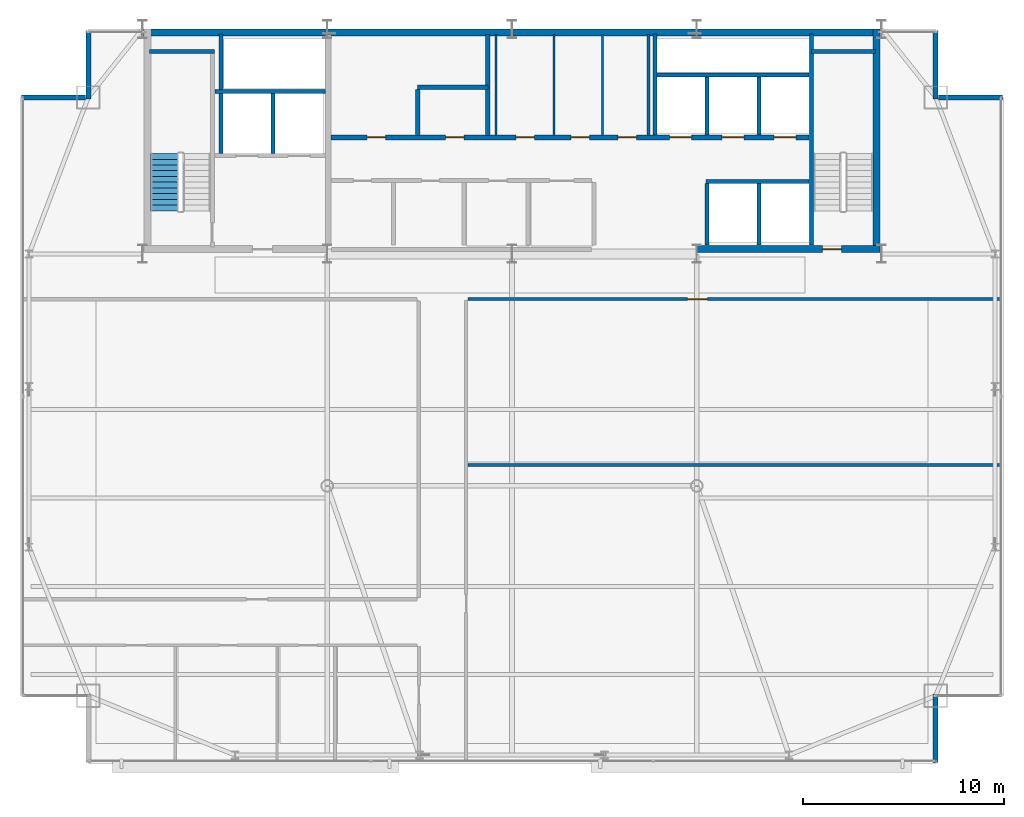
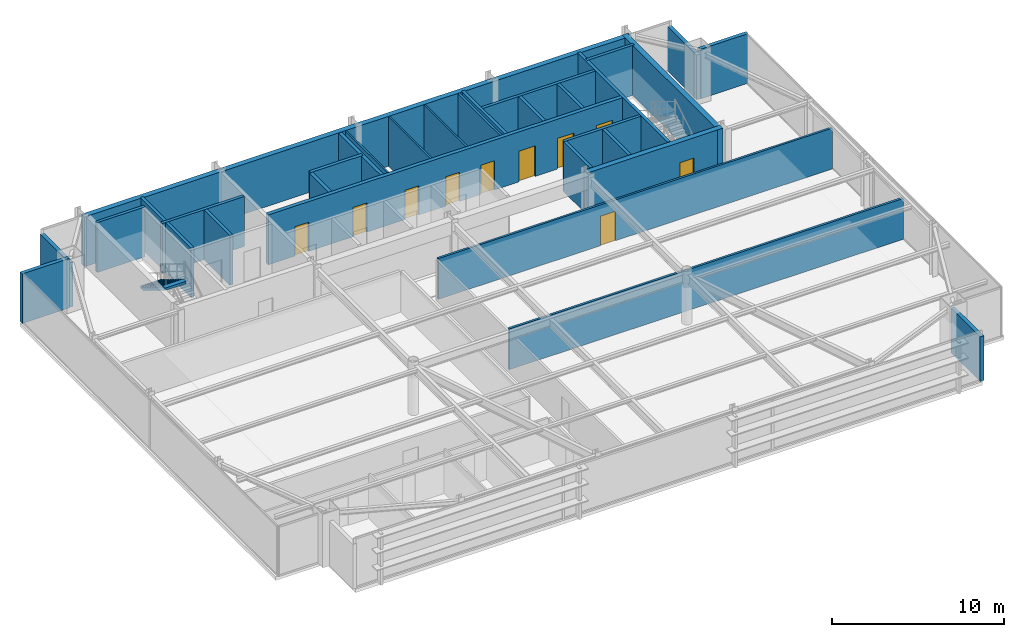
# One storey, part 23 of 25: 31 walls, 10 doors, 1 stair flight, 10 openings, 1 element without a shape of its own.
"""IFC4 building model written with IfcOpenShell, lengths in metres."""

from ifc_helpers import new_model, si_unit, direction, frame, frame_2d, origin, place, context, subcontext, project, spatial, polyline, rectangle, outline, extrude, source, transform, mapped, material, layer, layer_set, type_object, type_shapes, element, fill, aggregate, save


model = new_model("IFC4")

# Units and contexts
model_context = context("Model", 3, precision=1e-05, world=origin(), true_north=direction((0.0, 1.0)))
body_context = subcontext(model_context, "Body", "Model", "MODEL_VIEW")
ifc_project = project(units=[si_unit("LENGTHUNIT", "METRE"), si_unit("AREAUNIT", "SQUARE_METRE"), si_unit("VOLUMEUNIT", "CUBIC_METRE"), si_unit("PLANEANGLEUNIT", "RADIAN"), si_unit("MASSUNIT", "GRAM", prefix="KILO")], contexts=[model_context])

# Site, building, storey
site_placement = place(None, origin())
site = spatial("IfcSite", under=ifc_project, at=site_placement, CompositionType="ELEMENT")
building_placement = place(site_placement, origin())
building = spatial("IfcBuilding", under=site, at=building_placement, Name="Varnel Quay Broadcast Tower", CompositionType="ELEMENT")
storey_placement = place(building_placement, frame((0.0, 0.0, 250.800048828125)))
storey = spatial("IfcBuildingStorey", under=building, at=storey_placement, Name="L62", CompositionType="ELEMENT", Elevation=250.800048828125)

# Walls
ifc_material_1 = material(Name="Concrete CSA A23.3 C50/60", Category="concrete")
ifc_layer_1 = layer(ifc_material_1, 0.199951171875, Name="Concrete CSA A23.3 C50/60")
ifc_layer_set_1 = layer_set([ifc_layer_1], Name="Concrete CSA A23.3 C50/60")
wall_type_1 = type_object("IfcWallType", Name="Wall_CoreShaftShear200", PredefinedType="SHEAR", material=ifc_layer_set_1)
wall_1_placement = place(storey_placement, frame((15.949951171875, 45.679931640625, 0.0), z_axis=(0.0, 0.0, 1.0), x_axis=(1.0, 0.0, 0.0)))
element("IfcWall", 1, at=wall_1_placement, inside=storey, type_object=wall_type_1, Name="L62 Stair 1 North Structural Wall", PredefinedType="SHEAR", context=body_context, shape_type="SweptSolid", body=[
    extrude(rectangle(XDim=3.22998046875, YDim=0.199951171875, at=frame_2d((1.614990234375, 0.0))), origin(), (0.0, 0.0, 1.0), 3.550048828125),
])
wall_2_placement = place(storey_placement, frame((19.199951171875, 43.699951171875, 0.0), z_axis=(0.0, 0.0, 1.0), x_axis=(1.0, 0.0, 0.0)))
element("IfcWall", 2, at=wall_2_placement, inside=storey, type_object=wall_type_1, Name="L62 Firefighter Lift Shaft Rear Wall", PredefinedType="SHEAR", context=body_context, shape_type="SweptSolid", body=[
    extrude(rectangle(XDim=5.52001953125, YDim=0.199951171875, at=frame_2d((2.760009765625, 0.0))), origin(), (0.0, 0.0, 1.0), 3.550048828125),
])
wall_3_placement = place(storey_placement, frame((22.10009765625, 40.60009765625, 0.0), z_axis=(0.0, 0.0, 1.0), x_axis=(0.0, 1.0, 0.0)))
element("IfcWall", 3, at=wall_3_placement, inside=storey, type_object=wall_type_1, Name="L62 Firefighter Lift Shaft Divider", PredefinedType="SHEAR", context=body_context, shape_type="SweptSolid", body=[
    extrude(rectangle(XDim=3.0, YDim=0.199951171875, at=frame_2d((1.5, 0.0))), origin(), (0.0, 0.0, 1.0), 3.550048828125),
])
wall_4_placement = place(storey_placement, frame((19.5, 40.60009765625, 0.0), z_axis=(0.0, 0.0, 1.0), x_axis=(0.0, 1.0, 0.0)))
element("IfcWall", 4, at=wall_4_placement, inside=storey, type_object=wall_type_1, Name="L62 Firefighter Lift Shaft West Wall", PredefinedType="SHEAR", context=body_context, shape_type="SweptSolid", body=[
    extrude(rectangle(XDim=5.949951171875, YDim=0.199951171875, at=frame_2d((2.97509765625, 0.0))), origin(), (0.0, 0.0, 1.0), 3.550048828125),
])
wall_5_placement = place(storey_placement, frame((48.919921875, 36.050048828125, 0.0), z_axis=(0.0, 0.0, 1.0), x_axis=(0.0, 1.0, 0.0)))
element("IfcWall", 5, at=wall_5_placement, inside=storey, type_object=wall_type_1, Name="L62 Stair 2 West Structural Wall", PredefinedType="SHEAR", context=body_context, shape_type="SweptSolid", body=[
    extrude(rectangle(XDim=10.5, YDim=0.199951171875, at=frame_2d((5.25, 0.0))), origin(), (0.0, 0.0, 1.0), 3.550048828125),
])
wall_6_placement = place(storey_placement, frame((48.919921875, 45.679931640625, 0.0), z_axis=(0.0, 0.0, 1.0), x_axis=(1.0, 0.0, 0.0)))
element("IfcWall", 6, at=wall_6_placement, inside=storey, type_object=wall_type_1, Name="L62 Stair 2 North Structural Wall", PredefinedType="SHEAR", context=body_context, shape_type="SweptSolid", body=[
    extrude(rectangle(XDim=3.18017578125, YDim=0.199951171875, at=frame_2d((1.590087890625, 0.0))), origin(), (0.0, 0.0, 1.0), 3.550048828125),
])
wall_7_placement = place(storey_placement, frame((41.219970703125, 44.5, 0.0), z_axis=(0.0, 0.0, 1.0), x_axis=(1.0, 0.0, 0.0)))
element("IfcWall", 7, at=wall_7_placement, inside=storey, type_object=wall_type_1, Name="L62 High-Rise Lift Shaft Rear Wall", PredefinedType="SHEAR", context=body_context, shape_type="SweptSolid", body=[
    extrude(rectangle(XDim=7.580078125, YDim=0.199951171875, at=frame_2d((3.7900390625, 0.0))), origin(), (0.0, 0.0, 1.0), 3.550048828125),
])
wall_8_placement = place(storey_placement, frame((41.1201171875, 41.530029296875, 0.0), z_axis=(0.0, 0.0, 1.0), x_axis=(0.0, 1.0, 0.0)))
element("IfcWall", 8, at=wall_8_placement, inside=storey, type_object=wall_type_1, Name="L62 High-Rise Lift Shaft Divider 1", PredefinedType="SHEAR", context=body_context, shape_type="SweptSolid", body=[
    extrude(rectangle(XDim=5.02001953125, YDim=0.199951171875, at=frame_2d((2.510009765625, 0.0))), origin(), (0.0, 0.0, 1.0), 3.550048828125),
])
for number, where, z_axis, x_axis, name in (
    (9, (43.699951171875, 41.530029296875, 0.0), (0.0, 0.0, 1.0), (0.0, 1.0, 0.0), "L62 High-Rise Lift Shaft Divider 2"),
    (10, (46.300048828125, 41.530029296875, 0.0), (0.0, 0.0, 1.0), (0.0, 1.0, 0.0), "L62 High-Rise Lift Shaft Divider 3"),
):
    element("IfcWall", number, at=place(storey_placement, frame(where, z_axis=z_axis, x_axis=x_axis)), inside=storey, type_object=wall_type_1, Name=name, PredefinedType="SHEAR", context=body_context, shape_type="SweptSolid", body=[
        extrude(rectangle(XDim=2.869873046875, YDim=0.199951171875, at=frame_2d((1.43505859375, 0.0))), origin(), (0.0, 0.0, 1.0), 3.550048828125),
    ])
for number, where, z_axis, x_axis, name in (
    (11, (43.699951171875, 36.050048828125, 0.0), (0.0, 0.0, 1.0), (0.0, 1.0, 0.0), "L62 Express Lift Shaft West Wall"),
    (12, (46.300048828125, 36.050048828125, 0.0), (0.0, 0.0, 1.0), (0.0, 1.0, 0.0), "L62 Express Lift Shaft Divider"),
):
    element("IfcWall", number, at=place(storey_placement, frame(where, z_axis=z_axis, x_axis=x_axis)), inside=storey, type_object=wall_type_1, Name=name, PredefinedType="SHEAR", context=body_context, shape_type="SweptSolid", body=[
        extrude(rectangle(XDim=3.050048828125, YDim=0.199951171875, at=frame_2d((1.52490234375, 0.0))), origin(), (0.0, 0.0, 1.0), 3.550048828125),
    ])
wall_9_placement = place(storey_placement, frame((43.64990234375, 39.199951171875, 0.0), z_axis=(0.0, 0.0, 1.0), x_axis=(1.0, 0.0, 0.0)))
element("IfcWall", 13, at=wall_9_placement, inside=storey, type_object=wall_type_1, Name="L62 Express Lift Shaft North Front Wall", PredefinedType="SHEAR", context=body_context, shape_type="SweptSolid", body=[
    extrude(rectangle(XDim=5.150146484375, YDim=0.199951171875, at=frame_2d((2.5751953125, 0.0))), origin(), (0.0, 0.0, 1.0), 3.550048828125),
])

# Wall, openings, doors
ifc_layer_2 = layer(ifc_material_1, 0.25, Name="Concrete CSA A23.3 C50/60")
ifc_layer_set_2 = layer_set([ifc_layer_2], Name="Concrete CSA A23.3 C50/60")
wall_type_2 = type_object("IfcWallType", Name="Wall_CoreShaftShear250", PredefinedType="SHEAR", material=ifc_layer_set_2)
wall_10_placement = place(storey_placement, frame((24.97998046875, 41.39990234375, 0.0), z_axis=(0.0, 0.0, 1.0), x_axis=(1.0, 0.0, 0.0)))
wall_10 = element("IfcWall", 14, at=wall_10_placement, inside=storey, type_object=wall_type_2, Name="L62 North Lift Bank & Reclaimed Suite Wall", PredefinedType="SHEAR", context=body_context, shape_type="SweptSolid", body=[
    extrude(rectangle(XDim=23.820068359375, YDim=0.25, at=frame_2d((11.91015625, 0.0))), origin(), (0.0, 0.0, 1.0), 3.550048828125),
])
opening_1_placement = place(wall_10_placement, frame((16.8701171875, 0.0, 0.0)))
opening_1 = element("IfcOpeningElement", 15, at=opening_1_placement, cuts=wall_10, Name="Opening LD-L62-PH-01", PredefinedType="OPENING", context=body_context, shape_type="SweptSolid", body=[
    extrude(rectangle(XDim=1.10009765625, YDim=2.179931640625, at=frame_2d((0.550048828125, 1.08984375))), frame((0.0, 0.135009765625, 0.0), z_axis=(0.0, -1.0, 0.0), x_axis=(1.0, 0.0, 0.0)), (0.0, 0.0, 1.0), 0.27001953125),
])
opening_2_placement = place(wall_10_placement, frame((19.469970703125, 0.0, 0.0)))
opening_2 = element("IfcOpeningElement", 16, at=opening_2_placement, cuts=wall_10, Name="Opening LD-L62-PH-02", PredefinedType="OPENING", context=body_context, shape_type="SweptSolid", body=[
    extrude(rectangle(XDim=1.10009765625, YDim=2.179931640625, at=frame_2d((0.550048828125, 1.08984375))), frame((0.0, 0.135009765625, 0.0), z_axis=(0.0, -1.0, 0.0), x_axis=(1.0, 0.0, 0.0)), (0.0, 0.0, 1.0), 0.27001953125),
])
opening_3_placement = place(wall_10_placement, frame((22.070068359375, 0.0, 0.0)))
opening_3 = element("IfcOpeningElement", 17, at=opening_3_placement, cuts=wall_10, Name="Opening LD-L62-PH-03", PredefinedType="OPENING", context=body_context, shape_type="SweptSolid", body=[
    extrude(rectangle(XDim=1.10009765625, YDim=2.179931640625, at=frame_2d((0.550048828125, 1.08984375))), frame((0.0, 0.135009765625, 0.0), z_axis=(0.0, -1.0, 0.0), x_axis=(1.0, 0.0, 0.0)), (0.0, 0.0, 1.0), 0.27001953125),
])
opening_4_placement = place(wall_10_placement, frame((1.81005859375, 0.0, 0.0)))
opening_4 = element("IfcOpeningElement", 18, at=opening_4_placement, cuts=wall_10, Name="Opening D-L62-RECA1", PredefinedType="OPENING", context=body_context, shape_type="SweptSolid", body=[
    extrude(rectangle(XDim=0.919921875, YDim=2.080078125, at=frame_2d((0.4599609375, 1.0400390625))), frame((0.0, 0.135009765625, 0.0), z_axis=(0.0, -1.0, 0.0), x_axis=(1.0, 0.0, 0.0)), (0.0, 0.0, 1.0), 0.27001953125),
])
opening_5_placement = place(wall_10_placement, frame((5.7099609375, 0.0, 0.0)))
opening_5 = element("IfcOpeningElement", 19, at=opening_5_placement, cuts=wall_10, Name="Opening D-L62-RECA2", PredefinedType="OPENING", context=body_context, shape_type="SweptSolid", body=[
    extrude(rectangle(XDim=0.919921875, YDim=2.080078125, at=frame_2d((0.4599609375, 1.0400390625))), frame((0.0, 0.135009765625, 0.0), z_axis=(0.0, -1.0, 0.0), x_axis=(1.0, 0.0, 0.0)), (0.0, 0.0, 1.0), 0.27001953125),
])
opening_6_placement = place(wall_10_placement, frame((9.2099609375, 0.0, 0.0)))
opening_6 = element("IfcOpeningElement", 20, at=opening_6_placement, cuts=wall_10, Name="Opening D-L62-RECB1", PredefinedType="OPENING", context=body_context, shape_type="SweptSolid", body=[
    extrude(rectangle(XDim=0.919921875, YDim=2.080078125, at=frame_2d((0.4599609375, 1.0400390625))), frame((0.0, 0.135009765625, 0.0), z_axis=(0.0, -1.0, 0.0), x_axis=(1.0, 0.0, 0.0)), (0.0, 0.0, 1.0), 0.27001953125),
])
opening_7_placement = place(wall_10_placement, frame((11.9599609375, 0.0, 0.0)))
opening_7 = element("IfcOpeningElement", 21, at=opening_7_placement, cuts=wall_10, Name="Opening D-L62-RECB2", PredefinedType="OPENING", context=body_context, shape_type="SweptSolid", body=[
    extrude(rectangle(XDim=0.919921875, YDim=2.080078125, at=frame_2d((0.4599609375, 1.0400390625))), frame((0.0, 0.135009765625, 0.0), z_axis=(0.0, -1.0, 0.0), x_axis=(1.0, 0.0, 0.0)), (0.0, 0.0, 1.0), 0.27001953125),
])
opening_8_placement = place(wall_10_placement, frame((14.31005859375, 0.0, 0.0)))
opening_8 = element("IfcOpeningElement", 22, at=opening_8_placement, cuts=wall_10, Name="Opening D-L62-RECB3", PredefinedType="OPENING", context=body_context, shape_type="SweptSolid", body=[
    extrude(rectangle(XDim=0.919921875, YDim=2.080078125, at=frame_2d((0.4599609375, 1.0400390625))), frame((0.0, 0.135009765625, 0.0), z_axis=(0.0, -1.0, 0.0), x_axis=(1.0, 0.0, 0.0)), (0.0, 0.0, 1.0), 0.27001953125),
])
ifc_material_2 = material(Name="Brushed Bronze-Stainless Lift Car & Sliding Doors", Category="steel")
door_type_1 = type_object("IfcDoorType", Name="Door_LiftLanding1100", OperationType="SLIDING_TO_LEFT", PredefinedType="DOOR", material=ifc_material_2)
shared_shape_1 = source(origin(), body_context, "Body", "SweptSolid", [
    extrude(rectangle(XDim=1.10009765625, YDim=2.179931640625, at=frame_2d((0.550048828125, 1.08984375))), frame((0.0, 0.02490234375, 0.0), z_axis=(0.0, -1.0, 0.0), x_axis=(1.0, 0.0, 0.0)), (0.0, 0.0, 1.0), 0.050048828125),
])
type_shapes(door_type_1, [shared_shape_1])
door_1_placement = place(opening_1_placement, frame((1.10009765625, 0.0, 0.0), z_axis=(0.0, 0.0, 1.0), x_axis=(-1.0, 0.0, 0.0)))
door_1 = element("IfcDoor", 23, at=door_1_placement, inside=storey, type_object=door_type_1, Name="L62 Lift PH-01 Landing Door", OperationType="SLIDING_TO_LEFT", OverallHeight=2.179931640625, OverallWidth=1.10009765625, PredefinedType="DOOR", context=body_context, shape_type="MappedRepresentation", body=[
    mapped(shared_shape_1, transform((0.0, 0.0, 0.0), x_axis=(1.0, 0.0, 0.0), y_axis=(0.0, 1.0, 0.0), z_axis=(0.0, 0.0, 1.0), scale=1.0)),
])
fill(opening_1, door_1)
door_2_placement = place(opening_2_placement, frame((1.10009765625, 0.0, 0.0), z_axis=(0.0, 0.0, 1.0), x_axis=(-1.0, 0.0, 0.0)))
door_2 = element("IfcDoor", 24, at=door_2_placement, inside=storey, type_object=door_type_1, Name="L62 Lift PH-02 Landing Door", OperationType="SLIDING_TO_LEFT", OverallHeight=2.179931640625, OverallWidth=1.10009765625, PredefinedType="DOOR", context=body_context, shape_type="MappedRepresentation", body=[
    mapped(shared_shape_1, transform((0.0, 0.0, 0.0), x_axis=(1.0, 0.0, 0.0), y_axis=(0.0, 1.0, 0.0), z_axis=(0.0, 0.0, 1.0), scale=1.0)),
])
fill(opening_2, door_2)
door_3_placement = place(opening_3_placement, frame((1.10009765625, 0.0, 0.0), z_axis=(0.0, 0.0, 1.0), x_axis=(-1.0, 0.0, 0.0)))
door_3 = element("IfcDoor", 25, at=door_3_placement, inside=storey, type_object=door_type_1, Name="L62 Lift PH-03 Landing Door", OperationType="SLIDING_TO_LEFT", OverallHeight=2.179931640625, OverallWidth=1.10009765625, PredefinedType="DOOR", context=body_context, shape_type="MappedRepresentation", body=[
    mapped(shared_shape_1, transform((0.0, 0.0, 0.0), x_axis=(1.0, 0.0, 0.0), y_axis=(0.0, 1.0, 0.0), z_axis=(0.0, 0.0, 1.0), scale=1.0)),
])
fill(opening_3, door_3)
ifc_material_3 = material(Name="Solid-Core Fire-Rated Acoustic Oak Veneer Door", Category="wood")
door_type_2 = type_object("IfcDoorType", Name="Door_Office920", OperationType="NOTDEFINED", PredefinedType="DOOR", material=ifc_material_3)
shared_shape_2 = source(origin(), body_context, "Body", "SweptSolid", [
    extrude(rectangle(XDim=0.919921875, YDim=2.080078125, at=frame_2d((0.4599609375, 1.0400390625))), frame((0.0, 0.02490234375, 0.0), z_axis=(0.0, -1.0, 0.0), x_axis=(1.0, 0.0, 0.0)), (0.0, 0.0, 1.0), 0.050048828125),
])
type_shapes(door_type_2, [shared_shape_2])
door_4_placement = place(opening_4_placement, origin())
door_4 = element("IfcDoor", 26, at=door_4_placement, inside=storey, type_object=door_type_2, Name="L62 Signal Routing Suite Door", OperationType="SINGLE_SWING_LEFT", OverallHeight=2.080078125, OverallWidth=0.919921875, PredefinedType="DOOR", context=body_context, shape_type="MappedRepresentation", body=[
    mapped(shared_shape_2, transform((0.0, 0.0, 0.0), x_axis=(1.0, 0.0, 0.0), y_axis=(0.0, 1.0, 0.0), z_axis=(0.0, 0.0, 1.0), scale=1.0)),
])
fill(opening_4, door_4)
door_5_placement = place(opening_5_placement, origin())
door_5 = element("IfcDoor", 27, at=door_5_placement, inside=storey, type_object=door_type_2, Name="L62 Archive Media Store Door", OperationType="SINGLE_SWING_RIGHT", OverallHeight=2.080078125, OverallWidth=0.919921875, PredefinedType="DOOR", context=body_context, shape_type="MappedRepresentation", body=[
    mapped(shared_shape_2, transform((0.0, 0.0, 0.0), x_axis=(1.0, 0.0, 0.0), y_axis=(0.0, 1.0, 0.0), z_axis=(0.0, 0.0, 1.0), scale=1.0)),
])
fill(opening_5, door_5)
door_6_placement = place(opening_6_placement, origin())
door_6 = element("IfcDoor", 28, at=door_6_placement, inside=storey, type_object=door_type_2, Name="L62 Audio Patch Closet Door", OperationType="SINGLE_SWING_LEFT", OverallHeight=2.080078125, OverallWidth=0.919921875, PredefinedType="DOOR", context=body_context, shape_type="MappedRepresentation", body=[
    mapped(shared_shape_2, transform((0.0, 0.0, 0.0), x_axis=(1.0, 0.0, 0.0), y_axis=(0.0, 1.0, 0.0), z_axis=(0.0, 0.0, 1.0), scale=1.0)),
])
fill(opening_6, door_6)
door_7_placement = place(opening_7_placement, origin())
door_7 = element("IfcDoor", 29, at=door_7_placement, inside=storey, type_object=door_type_2, Name="L62 Bureau Reference Archive Door", OperationType="SINGLE_SWING_RIGHT", OverallHeight=2.080078125, OverallWidth=0.919921875, PredefinedType="DOOR", context=body_context, shape_type="MappedRepresentation", body=[
    mapped(shared_shape_2, transform((0.0, 0.0, 0.0), x_axis=(1.0, 0.0, 0.0), y_axis=(0.0, 1.0, 0.0), z_axis=(0.0, 0.0, 1.0), scale=1.0)),
])
fill(opening_7, door_7)
door_8_placement = place(opening_8_placement, origin())
door_8 = element("IfcDoor", 30, at=door_8_placement, inside=storey, type_object=door_type_2, Name="L62 Crew Espresso Niche Door", OperationType="SINGLE_SWING_LEFT", OverallHeight=2.080078125, OverallWidth=0.919921875, PredefinedType="DOOR", context=body_context, shape_type="MappedRepresentation", body=[
    mapped(shared_shape_2, transform((0.0, 0.0, 0.0), x_axis=(1.0, 0.0, 0.0), y_axis=(0.0, 1.0, 0.0), z_axis=(0.0, 0.0, 1.0), scale=1.0)),
])
fill(opening_8, door_8)

# Walls
ifc_layer_3 = layer(ifc_material_1, 0.35009765625, Name="Concrete CSA A23.3 C50/60")
ifc_layer_set_3 = layer_set([ifc_layer_3], Name="Concrete CSA A23.3 C50/60")
wall_type_3 = type_object("IfcWallType", Name="Wall_CoreShearExt350", PredefinedType="SHEAR", material=ifc_layer_set_3)
wall_11_placement = place(storey_placement, frame((15.60009765625, 46.625, 0.0), z_axis=(0.0, 0.0, 1.0), x_axis=(1.0, 0.0, 0.0)))
element("IfcWall", 31, at=wall_11_placement, inside=storey, type_object=wall_type_3, Name="L62 North Core Shear Wall", PredefinedType="SHEAR", context=body_context, shape_type="SweptSolid", body=[
    extrude(rectangle(XDim=36.7998046875, YDim=0.35009765625, at=frame_2d((18.39990234375, 0.0))), origin(), (0.0, 0.0, 1.0), 3.550048828125),
])
ifc_layer_4 = layer(ifc_material_1, 0.35009765625, Name="Concrete CSA A23.3 C50/60")
ifc_layer_set_4 = layer_set([ifc_layer_4], Name="Concrete CSA A23.3 C50/60")
wall_type_4 = type_object("IfcWallType", Name="Wall_CoreShearInt350", PredefinedType="SHEAR", material=ifc_layer_set_4)
wall_12_placement = place(storey_placement, frame((52.155029296875, 35.669921875, 0.0), z_axis=(0.0, 0.0, 1.0), x_axis=(0.0, 1.0, 0.0)))
element("IfcWall", 32, at=wall_12_placement, inside=storey, type_object=wall_type_4, Name="L62 East Core Shear Wall", PredefinedType="SHEAR", context=body_context, shape_type="SweptSolid", body=[
    extrude(rectangle(XDim=11.130126953125, YDim=0.35009765625, at=frame_2d((5.56494140625, 0.0))), origin(), (0.0, 0.0, 1.0), 3.550048828125),
])

# Wall, opening, door
wall_13_placement = place(storey_placement, frame((43.199951171875, 35.844970703125, 0.0), z_axis=(0.0, 0.0, 1.0), x_axis=(1.0, 0.0, 0.0)))
wall_13 = element("IfcWall", 33, at=wall_13_placement, inside=storey, type_object=wall_type_4, Name="L62 South-East Core Shear Wall", PredefinedType="SHEAR", context=body_context, shape_type="SweptSolid", body=[
    extrude(rectangle(XDim=9.130126953125, YDim=0.35009765625, at=frame_2d((4.56494140625, 0.0))), origin(), (0.0, 0.0, 1.0), 3.550048828125),
])
opening_9_placement = place(wall_13_placement, frame((6.25, 0.0, 0.0)))
opening_9 = element("IfcOpeningElement", 34, at=opening_9_placement, cuts=wall_13, Name="Opening D-L62-S2", PredefinedType="OPENING", context=body_context, shape_type="SweptSolid", body=[
    extrude(rectangle(XDim=0.949951171875, YDim=2.10009765625, at=frame_2d((0.47509765625, 1.050048828125))), frame((0.0, 0.18505859375, 0.0), z_axis=(0.0, -1.0, 0.0), x_axis=(1.0, 0.0, 0.0)), (0.0, 0.0, 1.0), 0.3701171875),
])
ifc_material_4 = material(Name="Insulated Fire-Rated Hollow Steel Door", Category="steel")
door_type_3 = type_object("IfcDoorType", Name="Door_FireStair950", OperationType="NOTDEFINED", PredefinedType="DOOR", material=ifc_material_4)
shared_shape_3 = source(origin(), body_context, "Body", "SweptSolid", [
    extrude(rectangle(XDim=0.949951171875, YDim=2.10009765625, at=frame_2d((0.47509765625, 1.050048828125))), frame((0.0, 0.02490234375, 0.0), z_axis=(0.0, -1.0, 0.0), x_axis=(1.0, 0.0, 0.0)), (0.0, 0.0, 1.0), 0.050048828125),
])
type_shapes(door_type_3, [shared_shape_3])
door_9_placement = place(opening_9_placement, origin())
door_9 = element("IfcDoor", 35, at=door_9_placement, inside=storey, type_object=door_type_3, Name="L62 Stair 2 Fire Door", OperationType="SINGLE_SWING_RIGHT", OverallHeight=2.10009765625, OverallWidth=0.949951171875, PredefinedType="DOOR", context=body_context, shape_type="MappedRepresentation", body=[
    mapped(shared_shape_3, transform((0.0, 0.0, 0.0), x_axis=(1.0, 0.0, 0.0), y_axis=(0.0, 1.0, 0.0), z_axis=(0.0, 0.0, 1.0), scale=1.0)),
])
fill(opening_9, door_9)

# Walls
ifc_material_5 = material(Name="Precast Architectural Concrete C40/50", Category="concrete")
ifc_layer_5 = layer(ifc_material_5, 0.25, Name="Precast Architectural Concrete C40/50")
ifc_layer_set_5 = layer_set([ifc_layer_5], Name="Precast Architectural Concrete C40/50")
wall_type_5 = type_object("IfcWallType", Name="Wall_ExtTerrace250", PredefinedType="SOLIDWALL", material=ifc_layer_set_5)
wall_14_placement = place(storey_placement, frame((55.10009765625, 10.280029296875, 0.0), z_axis=(0.0, 0.0, 1.0), x_axis=(0.0, 1.0, 0.0)))
element("IfcWall", 36, at=wall_14_placement, inside=storey, type_object=wall_type_5, Name="L62 Mega-Column Notch Cladding Wall NSE2", PredefinedType="SOLIDWALL", context=body_context, shape_type="SweptSolid", body=[
    extrude(rectangle(XDim=3.39990234375, YDim=0.25, at=frame_2d((1.699951171875, 0.0))), origin(), (0.0, 0.0, 1.0), 3.1708984375),
])
wall_15_placement = place(storey_placement, frame((9.580078125, 43.39990234375, 0.0), z_axis=(0.0, 0.0, 1.0), x_axis=(1.0, 0.0, 0.0)))
element("IfcWall", 37, at=wall_15_placement, inside=storey, type_object=wall_type_5, Name="L62 Mega-Column Notch Cladding Wall NNW1", PredefinedType="SOLIDWALL", context=body_context, shape_type="SweptSolid", body=[
    extrude(rectangle(XDim=3.18994140625, YDim=0.25, at=frame_2d((1.594970703125, 0.0))), origin(), (0.0, 0.0, 1.0), 3.530029296875),
])
wall_16_placement = place(storey_placement, frame((12.89990234375, 43.320068359375, 0.0), z_axis=(0.0, 0.0, 1.0), x_axis=(0.0, 1.0, 0.0)))
element("IfcWall", 38, at=wall_16_placement, inside=storey, type_object=wall_type_5, Name="L62 Mega-Column Notch Cladding Wall NNW2", PredefinedType="SOLIDWALL", context=body_context, shape_type="SweptSolid", body=[
    extrude(rectangle(XDim=3.39990234375, YDim=0.25, at=frame_2d((1.699951171875, 0.0))), origin(), (0.0, 0.0, 1.0), 3.1708984375),
])
wall_17_placement = place(storey_placement, frame((55.22998046875, 43.39990234375, 0.0), z_axis=(0.0, 0.0, 1.0), x_axis=(1.0, 0.0, 0.0)))
element("IfcWall", 39, at=wall_17_placement, inside=storey, type_object=wall_type_5, Name="L62 Mega-Column Notch Cladding Wall NNE1", PredefinedType="SOLIDWALL", context=body_context, shape_type="SweptSolid", body=[
    extrude(rectangle(XDim=3.18994140625, YDim=0.25, at=frame_2d((1.594970703125, 0.0))), origin(), (0.0, 0.0, 1.0), 3.530029296875),
])
wall_18_placement = place(storey_placement, frame((55.10009765625, 43.320068359375, 0.0), z_axis=(0.0, 0.0, 1.0), x_axis=(0.0, 1.0, 0.0)))
element("IfcWall", 40, at=wall_18_placement, inside=storey, type_object=wall_type_5, Name="L62 Mega-Column Notch Cladding Wall NNE2", PredefinedType="SOLIDWALL", context=body_context, shape_type="SweptSolid", body=[
    extrude(rectangle(XDim=3.39990234375, YDim=0.25, at=frame_2d((1.699951171875, 0.0))), origin(), (0.0, 0.0, 1.0), 3.1708984375),
])
ifc_material_6 = material(Name="Steel-Stud Fire-Rated Acoustic Gypsum Partition Assembly", Category="steel")
ifc_layer_6 = layer(ifc_material_6, 0.10498046875, Name="Steel-Stud Fire-Rated Acoustic Gypsum Partition Assembly")
ifc_layer_set_6 = layer_set([ifc_layer_6], Name="Steel-Stud Fire-Rated Acoustic Gypsum Partition Assembly")
wall_type_6 = type_object("IfcWallType", Name="Wall_Partition105", PredefinedType="PARTITIONING", material=ifc_layer_set_6)
for number, where, z_axis, x_axis, name in (
    (41, (36.10009765625, 41.5, 0.0), (0.0, 0.0, 1.0), (0.0, 1.0, 0.0), "L62 Audio Patch Closet Partition 21"),
    (42, (33.199951171875, 41.5, 0.0), (0.0, 0.0, 1.0), (0.0, 1.0, 0.0), "L62 Audio Patch Closet Partition 22"),
    (43, (38.5, 41.5, 0.0), (0.0, 0.0, 1.0), (0.0, 1.0, 0.0), "L62 Bureau Reference Archive Partition 23"),
):
    element("IfcWall", number, at=place(storey_placement, frame(where, z_axis=z_axis, x_axis=x_axis)), inside=storey, type_object=wall_type_6, Name=name, PredefinedType="PARTITIONING", context=body_context, shape_type="SweptSolid", body=[
        extrude(rectangle(XDim=5.02001953125, YDim=0.10498046875, at=frame_2d((2.510009765625, 0.0))), origin(), (0.0, 0.0, 1.0), 3.530029296875),
    ])

# Wall, opening, door
ifc_layer_7 = layer(ifc_material_6, 0.139892578125, Name="Steel-Stud Fire-Rated Acoustic Gypsum Partition Assembly")
ifc_layer_set_7 = layer_set([ifc_layer_7], Name="Steel-Stud Fire-Rated Acoustic Gypsum Partition Assembly")
wall_type_7 = type_object("IfcWallType", Name="Wall_Partition140", PredefinedType="PARTITIONING", material=ifc_layer_set_7)
wall_19_placement = place(storey_placement, frame((31.81005859375, 33.35009765625, 0.0), z_axis=(0.0, 0.0, 1.0), x_axis=(1.0, 0.0, 0.0)))
wall_19 = element("IfcWall", 44, at=wall_19_placement, inside=storey, type_object=wall_type_7, Name="L62 Press Green Lounge 7 Partition 17", PredefinedType="PARTITIONING", context=body_context, shape_type="SweptSolid", body=[
    extrude(rectangle(XDim=26.510009765625, YDim=0.139892578125, at=frame_2d((13.2548828125, 0.0))), origin(), (0.0, 0.0, 1.0), 2.907958984375),
])
opening_10_placement = place(wall_19_placement, frame((10.919921875, 0.0, 0.0)))
opening_10 = element("IfcOpeningElement", 45, at=opening_10_placement, cuts=wall_19, Name="Opening D-L62-11", PredefinedType="OPENING", context=body_context, shape_type="SweptSolid", body=[
    extrude(rectangle(XDim=1.0, YDim=2.10009765625, at=frame_2d((0.5, 1.050048828125))), frame((0.0, 0.080078125, 0.0), z_axis=(0.0, -1.0, 0.0), x_axis=(1.0, 0.0, 0.0)), (0.0, 0.0, 1.0), 0.159912109375),
])
door_type_4 = type_object("IfcDoorType", Name="Door_Exec1000", OperationType="NOTDEFINED", PredefinedType="DOOR", material=ifc_material_3)
shared_shape_4 = source(origin(), body_context, "Body", "SweptSolid", [
    extrude(rectangle(XDim=1.0, YDim=2.10009765625, at=frame_2d((0.5, 1.050048828125))), frame((0.0, 0.02490234375, 0.0), z_axis=(0.0, -1.0, 0.0), x_axis=(1.0, 0.0, 0.0)), (0.0, 0.0, 1.0), 0.050048828125),
])
type_shapes(door_type_4, [shared_shape_4])
door_10_placement = place(opening_10_placement, frame((1.0, 0.0, 0.0), z_axis=(0.0, 0.0, 1.0), x_axis=(-1.0, 0.0, 0.0)))
door_10 = element("IfcDoor", 46, at=door_10_placement, inside=storey, type_object=door_type_4, Name="L62 Press Green Lounge 7 Door D-L62-11", OperationType="SINGLE_SWING_RIGHT", OverallHeight=2.10009765625, OverallWidth=1.0, PredefinedType="DOOR", context=body_context, shape_type="MappedRepresentation", body=[
    mapped(shared_shape_4, transform((0.0, 0.0, 0.0), x_axis=(1.0, 0.0, 0.0), y_axis=(0.0, 1.0, 0.0), z_axis=(0.0, 0.0, 1.0), scale=1.0)),
])
fill(opening_10, door_10)

# Walls
ifc_layer_8 = layer(ifc_material_6, 0.14990234375, Name="Steel-Stud Fire-Rated Acoustic Gypsum Partition Assembly")
ifc_layer_set_8 = layer_set([ifc_layer_8], Name="Steel-Stud Fire-Rated Acoustic Gypsum Partition Assembly")
wall_type_8 = type_object("IfcWallType", Name="Wall_Partition150", PredefinedType="PARTITIONING", material=ifc_layer_set_8)
wall_20_placement = place(storey_placement, frame((31.81005859375, 25.10009765625, 0.0), z_axis=(0.0, 0.0, 1.0), x_axis=(1.0, 0.0, 0.0)))
element("IfcWall", 47, at=wall_20_placement, inside=storey, type_object=wall_type_8, Name="L62 Break Kitchen 6 Partition 15", PredefinedType="PARTITIONING", context=body_context, shape_type="SweptSolid", body=[
    extrude(rectangle(XDim=26.510009765625, YDim=0.14990234375, at=frame_2d((13.2548828125, 0.0))), origin(), (0.0, 0.0, 1.0), 2.907958984375),
])
wall_21_placement = place(storey_placement, frame((40.800048828125, 41.5, 0.0), z_axis=(0.0, 0.0, 1.0), x_axis=(0.0, 1.0, 0.0)))
element("IfcWall", 48, at=wall_21_placement, inside=storey, type_object=wall_type_8, Name="L62 Crew Espresso Niche Partition 24", PredefinedType="PARTITIONING", context=body_context, shape_type="SweptSolid", body=[
    extrude(rectangle(XDim=5.02001953125, YDim=0.14990234375, at=frame_2d((2.510009765625, 0.0))), origin(), (0.0, 0.0, 1.0), 3.530029296875),
])
ifc_layer_9 = layer(ifc_material_6, 0.22509765625, Name="Steel-Stud Fire-Rated Acoustic Gypsum Partition Assembly")
ifc_layer_set_9 = layer_set([ifc_layer_9], Name="Steel-Stud Fire-Rated Acoustic Gypsum Partition Assembly")
wall_type_9 = type_object("IfcWallType", Name="Wall_Partition225", PredefinedType="PARTITIONING", material=ifc_layer_set_9)
wall_22_placement = place(storey_placement, frame((29.300048828125, 41.5, 0.0), z_axis=(0.0, 0.0, 1.0), x_axis=(0.0, 1.0, 0.0)))
element("IfcWall", 49, at=wall_22_placement, inside=storey, type_object=wall_type_9, Name="L62 Signal Routing Suite Partition 18", PredefinedType="PARTITIONING", context=body_context, shape_type="SweptSolid", body=[
    extrude(rectangle(XDim=2.2880859375, YDim=0.22509765625, at=frame_2d((1.14404296875, 0.0))), origin(), (0.0, 0.0, 1.0), 3.530029296875),
])
wall_23_placement = place(storey_placement, frame((29.300048828125, 43.89990234375, 0.0), z_axis=(0.0, 0.0, 1.0), x_axis=(1.0, 0.0, 0.0)))
element("IfcWall", 50, at=wall_23_placement, inside=storey, type_object=wall_type_9, Name="L62 Signal Routing Suite Partition 19", PredefinedType="PARTITIONING", context=body_context, shape_type="SweptSolid", body=[
    extrude(rectangle(XDim=3.5, YDim=0.22509765625, at=frame_2d((1.75, 0.0))), origin(), (0.0, 0.0, 1.0), 3.530029296875),
])
wall_24_placement = place(storey_placement, frame((32.800048828125, 41.5, 0.0), z_axis=(0.0, 0.0, 1.0), x_axis=(0.0, 1.0, 0.0)))
element("IfcWall", 51, at=wall_24_placement, inside=storey, type_object=wall_type_9, Name="L62 Signal Routing Suite Partition 20", PredefinedType="PARTITIONING", context=body_context, shape_type="SweptSolid", body=[
    extrude(rectangle(XDim=5.02001953125, YDim=0.22509765625, at=frame_2d((2.510009765625, 0.0))), origin(), (0.0, 0.0, 1.0), 3.530029296875),
])

# Stair, stair flight
ifc_material_7 = material(Name="Precast Structural Concrete C40/50", Category="concrete")
stair_type = type_object("IfcStairType", Name="Stair_ST-01", PredefinedType="HALF_TURN_STAIR", material=ifc_material_7)
stair_placement = place(storey_placement, origin())
stair = element("IfcStair", 52, at=stair_placement, inside=storey, type_object=stair_type, Name="L62 West Core Exit Stair 1", PredefinedType="HALF_TURN_STAIR")
stair_flight_type = type_object("IfcStairFlightType", Name="Flight_ST-01", PredefinedType="STRAIGHT", material=ifc_material_7)
stair_flight_placement = place(storey_placement, frame((16.699951171875, 40.60009765625, 1.89990234375), z_axis=(0.0, 0.0, 1.0), x_axis=(0.0, -1.0, 0.0)))
stair_flight = element("IfcStairFlight", 53, at=stair_flight_placement, type_object=stair_flight_type, Name="ST-01 flight 2", NumberOfRisers=11, NumberOfTreads=10, PredefinedType="STRAIGHT", RiserHeight=0.172727273, TreadLength=0.285, context=body_context, shape_type="SweptSolid", body=[
    extrude(outline(polyline([(0.0, 0.0), (0.0, 0.172607421875), (0.284912109375, 0.172607421875), (0.284912109375, 0.345458984375), (0.570068359375, 0.345458984375), (0.570068359375, 0.51806640625), (0.85498046875, 0.51806640625), (0.85498046875, 0.69091796875), (1.139892578125, 0.69091796875), (1.139892578125, 0.863525390625), (1.425048828125, 0.863525390625), (1.425048828125, 1.036376953125), (1.7099609375, 1.036376953125), (1.7099609375, 1.208984375), (1.9951171875, 1.208984375), (1.9951171875, 1.3818359375), (2.280029296875, 1.3818359375), (2.280029296875, 1.554443359375), (2.56494140625, 1.554443359375), (2.56494140625, 1.727294921875), (2.85009765625, 1.727294921875), (2.85009765625, 1.89990234375), (2.85009765625, 1.552001953125), (0.289306640625, 0.0), (0.0, 0.0)])), frame((0.0, 0.699951171875, 0.0), z_axis=(0.0, -1.0, 0.0), x_axis=(1.0, 0.0, 0.0)), (0.0, 0.0, 1.0), 1.39990234375),
])
aggregate(stair, [stair_flight])

save(model, "model.ifc")
